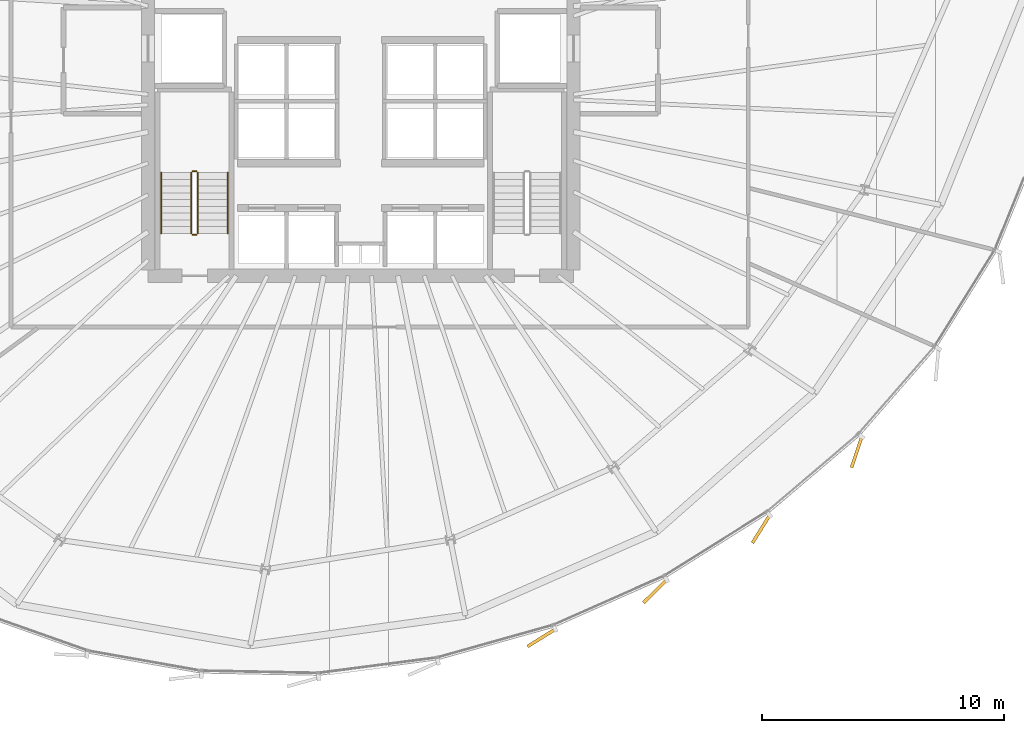
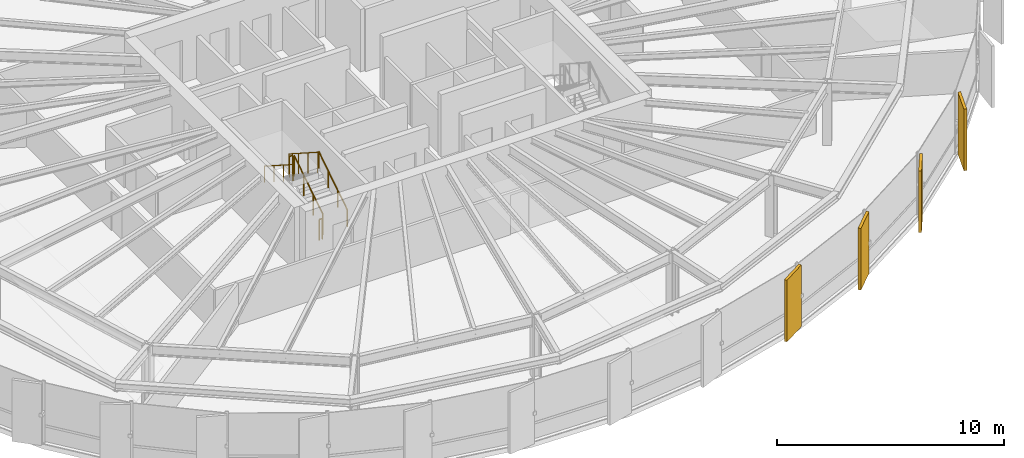
# One storey, part 31 of 33: 6 railings, 4 coverings.
"""IFC4 building model written with IfcOpenShell, lengths in metres."""

import ifcopenshell
import ifcopenshell.guid

model = None  # the IFC model being written
_history = None  # IfcOwnerHistory: only IFC2X3 demands one
_inside = {}  # id of a spatial element -> (the spatial element, [elements in it])
_under = {}  # id of a project, library or spatial element -> (it, [spatial elements below it])
_declared = {}  # id of a project -> (the project, [libraries it declares])
_typed = {}  # id of a type object -> (the type object, [elements of that type])
_made_of = {}  # id of a material, layer set ... -> (it, [elements and type objects made of it])


def new_model(schema):
    """Start an empty IFC model of exactly this schema.

    Asked for "IFC4X3", IfcOpenShell would pick the latest addendum, in which some entities
    have other attributes; the version numbers below select the first issue.
    IFC2X3 requires an IfcOwnerHistory on every rooted entity: one is made here for all.
    """
    global model, _history
    if schema == "IFC4X3":
        model = ifcopenshell.file(schema_version=(4, 3, 0, 0))
    else:
        model = ifcopenshell.file(schema=schema)
    _inside.clear()
    _under.clear()
    _declared.clear()
    _typed.clear()
    _made_of.clear()
    _history = None
    if model.schema == "IFC2X3":
        org = make("IfcOrganization", Name="unknown")
        user = make(
            "IfcPersonAndOrganization",
            ThePerson=make("IfcPerson", FamilyName="unknown"),
            TheOrganization=org,
        )
        app = make(
            "IfcApplication",
            ApplicationDeveloper=org,
            Version="unknown",
            ApplicationFullName="unknown",
            ApplicationIdentifier="unknown",
        )
        _history = make(
            "IfcOwnerHistory",
            OwningUser=user,
            OwningApplication=app,
            ChangeAction="ADDED",
            CreationDate=0,
        )
    return model


def make(cls, **values):
    """One entity of the class cls with the attributes given. An attribute that is None is left unset."""
    return model.create_entity(
        cls, **{name: value for name, value in values.items() if value is not None}
    )


def rooted(cls, **values):
    """An entity with a GlobalId (a new one), such as an element, a storey or a relation."""
    return make(cls, GlobalId=ifcopenshell.guid.new(), OwnerHistory=_history, **values)


def si_unit(unit_type, name, prefix=None):
    """IfcSIUnit, for example si_unit("LENGTHUNIT", "METRE", prefix="MILLI")."""
    return make("IfcSIUnit", UnitType=unit_type, Prefix=prefix, Name=name)


def assignment(units):
    """IfcUnitAssignment: the units of a project."""
    return None if units is None else make("IfcUnitAssignment", Units=units)


def point(xyz):
    """IfcCartesianPoint."""
    return None if xyz is None else make("IfcCartesianPoint", Coordinates=xyz)


def direction(xyz):
    """IfcDirection."""
    return None if xyz is None else make("IfcDirection", DirectionRatios=xyz)


def frame(location, z_axis=None, x_axis=None):
    """IfcAxis2Placement3D, a coordinate frame: its origin and axes. An axis left out is left unset."""
    return make(
        "IfcAxis2Placement3D",
        Location=point(location),
        Axis=direction(z_axis),
        RefDirection=direction(x_axis),
    )


def frame_2d(location, x_axis=None):
    """IfcAxis2Placement2D, a coordinate frame in the plane: its origin and x axis."""
    return make(
        "IfcAxis2Placement2D", Location=point(location), RefDirection=direction(x_axis)
    )


def origin():
    """The frame at (0, 0, 0) with its axes left unset."""
    return frame((0.0, 0.0, 0.0))


def origin_2d():
    """The frame at (0, 0) in the plane with its x axis left unset."""
    return frame_2d((0.0, 0.0))


def place(relative_to, where):
    """IfcLocalPlacement: puts the frame where relative to a parent placement (None: the world)."""
    return make(
        "IfcLocalPlacement", PlacementRelTo=relative_to, RelativePlacement=where
    )


def context(
    kind, dimensions, precision=None, world=None, true_north=None, identifier=None
):
    """IfcGeometricRepresentationContext, for example the 3D "Model" context."""
    return make(
        "IfcGeometricRepresentationContext",
        ContextIdentifier=identifier,
        ContextType=kind,
        CoordinateSpaceDimension=dimensions,
        Precision=precision,
        WorldCoordinateSystem=world,
        TrueNorth=true_north,
    )


def subcontext(parent, identifier, kind, view, scale=None):
    """IfcGeometricRepresentationSubContext, for example "Body" below "Model"."""
    return make(
        "IfcGeometricRepresentationSubContext",
        ContextIdentifier=identifier,
        ContextType=kind,
        ParentContext=parent,
        TargetScale=scale,
        TargetView=view,
    )


def project(units=None, contexts=None):
    """IfcProject with its units and contexts."""
    return rooted(
        "IfcProject",
        Name="project",
        RepresentationContexts=contexts,
        UnitsInContext=assignment(units),
    )


def spatial(cls, under=None, at=None, **own):
    """A site, building, storey or space (cls), placed at a placement, below another one or the project."""
    s = rooted(cls, ObjectPlacement=at, **own)
    if under is not None:
        _under.setdefault(under.id(), (under, []))[1].append(s)
    return s


def profile(cls, at=None, kind="AREA", **sizes):
    """A parametric profile (cls). Its sizes go by their IFC names, for example OverallWidth=200.0."""
    return make(cls, ProfileType=kind, Position=at, **sizes)


def rectangle(**sizes):
    """IfcRectangleProfileDef."""
    return profile("IfcRectangleProfileDef", **sizes)


def circle(**sizes):
    """IfcCircleProfileDef."""
    return profile("IfcCircleProfileDef", **sizes)


def extrude(swept, where, along, depth):
    """IfcExtrudedAreaSolid: the profile swept, set in the frame where, extruded along a direction by depth."""
    return make(
        "IfcExtrudedAreaSolid",
        SweptArea=swept,
        Position=where,
        ExtrudedDirection=direction(along),
        Depth=depth,
    )


def shape(context_of_items, identifier, shape_type, items):
    """IfcShapeRepresentation: the items that make up one representation, for example the "Body"."""
    return make(
        "IfcShapeRepresentation",
        ContextOfItems=context_of_items,
        RepresentationIdentifier=identifier,
        RepresentationType=shape_type,
        Items=items,
    )


def source(mapping_origin, context_of_items, identifier, shape_type, items):
    """IfcRepresentationMap: a shape defined once, which mapped items show again and again."""
    return make(
        "IfcRepresentationMap",
        MappingOrigin=mapping_origin,
        MappedRepresentation=shape(context_of_items, identifier, shape_type, items),
    )


def transform(
    local_origin,
    x_axis=None,
    y_axis=None,
    z_axis=None,
    scale=None,
    scale2=None,
    scale3=None,
    uniform=True,
):
    """IfcCartesianTransformationOperator3D, or its non-uniform kind. x_axis, y_axis, z_axis: its Axis1, 2, 3."""
    if uniform:
        return make(
            "IfcCartesianTransformationOperator3D",
            Axis1=direction(x_axis),
            Axis2=direction(y_axis),
            LocalOrigin=point(local_origin),
            Scale=scale,
            Axis3=direction(z_axis),
        )
    return make(
        "IfcCartesianTransformationOperator3DnonUniform",
        Axis1=direction(x_axis),
        Axis2=direction(y_axis),
        LocalOrigin=point(local_origin),
        Scale=scale,
        Axis3=direction(z_axis),
        Scale2=scale2,
        Scale3=scale3,
    )


def mapped(mapping_source, mapping_target):
    """IfcMappedItem: shows the shape of a source again, moved by a transform."""
    return make(
        "IfcMappedItem", MappingSource=mapping_source, MappingTarget=mapping_target
    )


def material(Name=None, Category=None):
    """IfcMaterial."""
    return make("IfcMaterial", Name=Name, Category=Category)


def layer(
    of_material, thickness, ventilated=None, Name=None, Category=None, Priority=None
):
    """IfcMaterialLayer: one layer of a wall or slab, of a material (None: an air gap)."""
    return make(
        "IfcMaterialLayer",
        Material=of_material,
        LayerThickness=thickness,
        IsVentilated=ventilated,
        Name=Name,
        Category=Category,
        Priority=Priority,
    )


def layer_set(layers, Name=None):
    """IfcMaterialLayerSet."""
    return make("IfcMaterialLayerSet", MaterialLayers=layers, LayerSetName=Name)


def made_of(thing, what):
    """Note that an element or type object is made of a material, layer set ...; save() writes the relation."""
    if what is not None:
        _made_of.setdefault(what.id(), (what, []))[1].append(thing)
    return thing


def type_object(cls, material=None, **own):
    """A type object (cls), such as IfcWallType, which elements share."""
    return made_of(rooted(cls, **own), material)


def element(
    cls,
    number,
    at=None,
    inside=None,
    cuts=None,
    type_object=None,
    material=None,
    context=None,
    identifier="Body",
    shape_type=None,
    held_by="IfcProductDefinitionShape",
    body=None,
    shapes=None,
    **own,
):
    """One element of the class cls, such as IfcWall. Its Tag is "e" and its number.

    at: its placement. inside: the storey or other place that contains it. cuts: it is an
    opening in that element (IfcRelVoidsElement). A single representation is given by context,
    identifier, shape_type and body (its items); several are given by shapes. held_by: the class
    of the entity that holds the representations. save() writes the other relations.
    """
    e = rooted(cls, Tag="e%d" % number, ObjectPlacement=at, **own)
    if body is not None:
        shapes = [shape(context, identifier, shape_type, body)]
    if shapes is not None:
        e.Representation = make(held_by, Representations=shapes)
    if inside is not None:
        _inside.setdefault(inside.id(), (inside, []))[1].append(e)
    if cuts is not None:
        rooted(
            "IfcRelVoidsElement", RelatingBuildingElement=cuts, RelatedOpeningElement=e
        )
    if type_object is not None:
        _typed.setdefault(type_object.id(), (type_object, []))[1].append(e)
    return made_of(e, material)


def aggregate(whole, parts):
    """IfcRelAggregates: a whole, such as a stair, and the parts it consists of."""
    return rooted("IfcRelAggregates", RelatingObject=whole, RelatedObjects=parts)


def save(model, path):
    """Write the relations noted so far, then the file.

    IfcRelAggregates (storeys below a building ...), IfcRelContainedInSpatialStructure (elements
    in a storey), IfcRelDefinesByType, IfcRelAssociatesMaterial and IfcRelDeclares: one each for
    every whole, place, type object, material and project.
    """
    for whole, parts in _under.values():
        aggregate(whole, parts)
    for where, things in _inside.values():
        rooted(
            "IfcRelContainedInSpatialStructure",
            RelatedElements=things,
            RelatingStructure=where,
        )
    for kind, things in _typed.values():
        rooted("IfcRelDefinesByType", RelatedObjects=things, RelatingType=kind)
    for what, things in _made_of.values():
        rooted("IfcRelAssociatesMaterial", RelatedObjects=things, RelatingMaterial=what)
    for by, libraries in _declared.values():
        rooted("IfcRelDeclares", RelatingContext=by, RelatedDefinitions=libraries)
    model.write(path)


model = new_model("IFC4")

# Units and contexts
model_context = context("Model", 3, precision=1e-05, world=origin(), true_north=direction((0.0, 1.0)))
body_context = subcontext(model_context, "Body", "Model", "MODEL_VIEW")
ifc_project = project(units=[si_unit("LENGTHUNIT", "METRE"), si_unit("AREAUNIT", "SQUARE_METRE"), si_unit("VOLUMEUNIT", "CUBIC_METRE"), si_unit("PLANEANGLEUNIT", "RADIAN"), si_unit("MASSUNIT", "GRAM", prefix="KILO"), si_unit("THERMODYNAMICTEMPERATUREUNIT", "KELVIN")], contexts=[model_context])

# Site, building, storey
site_placement = place(None, origin())
site = spatial("IfcSite", under=ifc_project, at=site_placement, CompositionType="ELEMENT")
building_placement = place(site_placement, origin())
building = spatial("IfcBuilding", under=site, at=building_placement, Name="Kethvar Cultural Tower", CompositionType="ELEMENT")
storey_placement = place(building_placement, frame((0.0, 0.0, 114.39990234375)))
storey = spatial("IfcBuildingStorey", under=building, at=storey_placement, Name="L28", CompositionType="ELEMENT", Elevation=114.39990234375)

# Railings
ifc_material_1 = material(Name="Steel S355J2", Category="steel")
railing_type_1 = type_object("IfcRailingType", Name="RL-STAIR-GUARD", PredefinedType="BALUSTRADE", material=ifc_material_1)
railing_1_placement = place(storey_placement, frame((40.050048828125, 21.85009765625, 0.18017578125)))
element("IfcRailing", 1, at=railing_1_placement, inside=storey, type_object=railing_type_1, Name="L28 ST-01 stair guard 1", PredefinedType="BALUSTRADE", context=body_context, shape_type="SweptSolid", body=[
    extrude(circle(Radius=0.02392578125, at=origin_2d()), frame((0.0, 0.0, 1.09619140625), z_axis=(0.0, 0.841199657755, 0.540724639528), x_axis=(-1.0, 0.0, 0.0)), (0.0, 0.0, 1.0), 2.995849609375),
    extrude(circle(Radius=0.02099609375, at=origin_2d()), origin(), (0.0, 0.0, 1.0), 1.072021484375),
    extrude(circle(Radius=0.02099609375, at=origin_2d()), frame((0.0, 0.840087890625, 0.5400390625)), (0.0, 0.0, 1.0), 1.072021484375),
    extrude(circle(Radius=0.02099609375, at=origin_2d()), frame((0.0, 1.679931640625, 1.079833984375)), (0.0, 0.0, 1.0), 1.072021484375),
    extrude(circle(Radius=0.02099609375, at=origin_2d()), frame((0.0, 2.52001953125, 1.619873046875)), (0.0, 0.0, 1.0), 1.072021484375),
])
railing_2_placement = place(storey_placement, frame((40.0, 24.419921875, 1.800048828125)))
element("IfcRailing", 2, at=railing_2_placement, inside=storey, type_object=railing_type_1, Name="L28 ST-01 stair guard 2", PredefinedType="BALUSTRADE", context=body_context, shape_type="SweptSolid", body=[
    extrude(circle(Radius=0.02392578125, at=origin_2d()), frame((0.0, 0.0, 1.09619140625), z_axis=(-1.0, 0.0, 0.0), x_axis=(0.0, -1.0, 0.0)), (0.0, 0.0, 1.0), 0.159912109375),
    extrude(circle(Radius=0.02099609375, at=origin_2d()), origin(), (0.0, 0.0, 1.0), 1.072021484375),
    extrude(circle(Radius=0.02099609375, at=origin_2d()), frame((-0.159912109375, 0.0, 0.0)), (0.0, 0.0, 1.0), 1.072021484375),
])
railing_3_placement = place(storey_placement, frame((39.7900390625, 24.3701171875, 1.97998046875)))
element("IfcRailing", 3, at=railing_3_placement, inside=storey, type_object=railing_type_1, Name="L28 ST-01 stair guard 3", PredefinedType="BALUSTRADE", context=body_context, shape_type="SweptSolid", body=[
    extrude(circle(Radius=0.02392578125, at=origin_2d()), frame((0.0, 0.0, 1.09619140625), z_axis=(0.0, -0.841162588446, 0.540782303519), x_axis=(1.0, 0.0, 0.0)), (0.0, 0.0, 1.0), 2.995849609375),
    extrude(circle(Radius=0.02099609375, at=origin_2d()), origin(), (0.0, 0.0, 1.0), 1.072021484375),
    extrude(circle(Radius=0.02099609375, at=origin_2d()), frame((0.0, -0.840087890625, 0.5400390625)), (0.0, 0.0, 1.0), 1.072021484375),
    extrude(circle(Radius=0.02099609375, at=origin_2d()), frame((0.0, -1.679931640625, 1.080078125)), (0.0, 0.0, 1.0), 1.072021484375),
    extrude(circle(Radius=0.02099609375, at=origin_2d()), frame((0.0, -2.52001953125, 1.6201171875)), (0.0, 0.0, 1.0), 1.072021484375),
])
railing_4_placement = place(storey_placement, frame((40.0, 21.800048828125, 0.0)))
element("IfcRailing", 4, at=railing_4_placement, inside=storey, type_object=railing_type_1, Name="L28 ST-01 stair guard 4", PredefinedType="BALUSTRADE", context=body_context, shape_type="SweptSolid", body=[
    extrude(circle(Radius=0.02392578125, at=origin_2d()), frame((0.0, 0.0, 1.09619140625), z_axis=(-1.0, 0.0, 0.0), x_axis=(0.0, -1.0, 0.0)), (0.0, 0.0, 1.0), 0.159912109375),
    extrude(circle(Radius=0.02099609375, at=origin_2d()), origin(), (0.0, 0.0, 1.0), 1.072021484375),
    extrude(circle(Radius=0.02099609375, at=origin_2d()), frame((-0.159912109375, 0.0, 0.0)), (0.0, 0.0, 1.0), 1.072021484375),
])
railing_type_2 = type_object("IfcRailingType", Name="RL-STAIR-HANDRAIL", PredefinedType="HANDRAIL", material=ifc_material_1)
railing_5_placement = place(storey_placement, frame((41.300048828125, 21.85009765625, 0.18017578125)))
element("IfcRailing", 5, at=railing_5_placement, inside=storey, type_object=railing_type_2, Name="L28 ST-01 stair handrail 1", PredefinedType="HANDRAIL", context=body_context, shape_type="SweptSolid", body=[
    extrude(circle(Radius=0.02392578125, at=origin_2d()), frame((0.0, 0.0, 0.8759765625), z_axis=(0.0, 0.841199657755, 0.540724639528), x_axis=(-1.0, 0.0, 0.0)), (0.0, 0.0, 1.0), 2.995849609375),
    extrude(circle(Radius=0.02099609375, at=origin_2d()), origin(), (0.0, 0.0, 1.0), 0.851806640625),
    extrude(circle(Radius=0.02099609375, at=origin_2d()), frame((0.0, 0.840087890625, 0.5400390625)), (0.0, 0.0, 1.0), 0.851806640625),
    extrude(circle(Radius=0.02099609375, at=origin_2d()), frame((0.0, 1.679931640625, 1.079833984375)), (0.0, 0.0, 1.0), 0.851806640625),
    extrude(circle(Radius=0.02099609375, at=origin_2d()), frame((0.0, 2.52001953125, 1.619873046875)), (0.0, 0.0, 1.0), 0.851806640625),
])
railing_6_placement = place(storey_placement, frame((38.5400390625, 24.3701171875, 1.97998046875)))
element("IfcRailing", 6, at=railing_6_placement, inside=storey, type_object=railing_type_2, Name="L28 ST-01 stair handrail 2", PredefinedType="HANDRAIL", context=body_context, shape_type="SweptSolid", body=[
    extrude(circle(Radius=0.02392578125, at=origin_2d()), frame((0.0, 0.0, 0.8759765625), z_axis=(0.0, -0.841162588446, 0.540782303519), x_axis=(1.0, 0.0, 0.0)), (0.0, 0.0, 1.0), 2.995849609375),
    extrude(circle(Radius=0.02099609375, at=origin_2d()), origin(), (0.0, 0.0, 1.0), 0.851806640625),
    extrude(circle(Radius=0.02099609375, at=origin_2d()), frame((0.0, -0.840087890625, 0.5400390625)), (0.0, 0.0, 1.0), 0.851806640625),
    extrude(circle(Radius=0.02099609375, at=origin_2d()), frame((0.0, -1.679931640625, 1.080078125)), (0.0, 0.0, 1.0), 0.851806640625),
    extrude(circle(Radius=0.02099609375, at=origin_2d()), frame((0.0, -2.52001953125, 1.6201171875)), (0.0, 0.0, 1.0), 0.851806640625),
])

# Coverings
ifc_material_2 = material(Name="Extruded Architectural Terracotta", Category="masonry")
ifc_layer = layer(ifc_material_2, 0.135009765625, Name="Extruded Architectural Terracotta", Category="masonry")
ifc_layer_set = layer_set([ifc_layer], Name="Extruded Architectural Terracotta (135 mm)")
covering_type = type_object("IfcCoveringType", Name="Terracotta Facade Fin FIN-02", PredefinedType="CLADDING", material=ifc_layer_set)
shared_shape = source(origin(), body_context, "Body", "SweptSolid", [
    extrude(rectangle(XDim=1.35009765625, YDim=0.135009765625, at=origin_2d()), origin(), (0.0, 0.0, 1.0), 3.31005859375),
])
for number, where, z_axis, x_axis, name in (
    (7, (54.270263671875, 5.118896484375, 0.02001953125), (0.0, 0.0, 1.0), (-0.849063904586, -0.528290153162, 0.0), "L28 Vertical Terracotta Fin 5.4"),
    (8, (58.973876953125, 7.04541015625, 0.02001953125), (0.0, 0.0, 1.0), (-0.712026045991, -0.702153052995, 0.0), "L28 Vertical Terracotta Fin 5.5"),
    (9, (63.357177734375, 9.617919921875, 0.02001953125), (0.0, 0.0, 1.0), (-0.529623207325, -0.848233021205, 0.0), "L28 Vertical Terracotta Fin 5.6"),
    (10, (67.3134765625, 12.80078125, 0.02001953125), (0.0, 0.0, 1.0), (-0.318297564451, -0.947990854631, 0.0), "L28 Vertical Terracotta Fin 6.1"),
):
    element("IfcCovering", number, at=place(storey_placement, frame(where, z_axis=z_axis, x_axis=x_axis)), inside=storey, type_object=covering_type, Name=name, PredefinedType="CLADDING", context=body_context, shape_type="MappedRepresentation", body=[
        mapped(shared_shape, transform((0.0, 0.0, 0.0), scale=1.0)),
    ])

save(model, "model.ifc")
